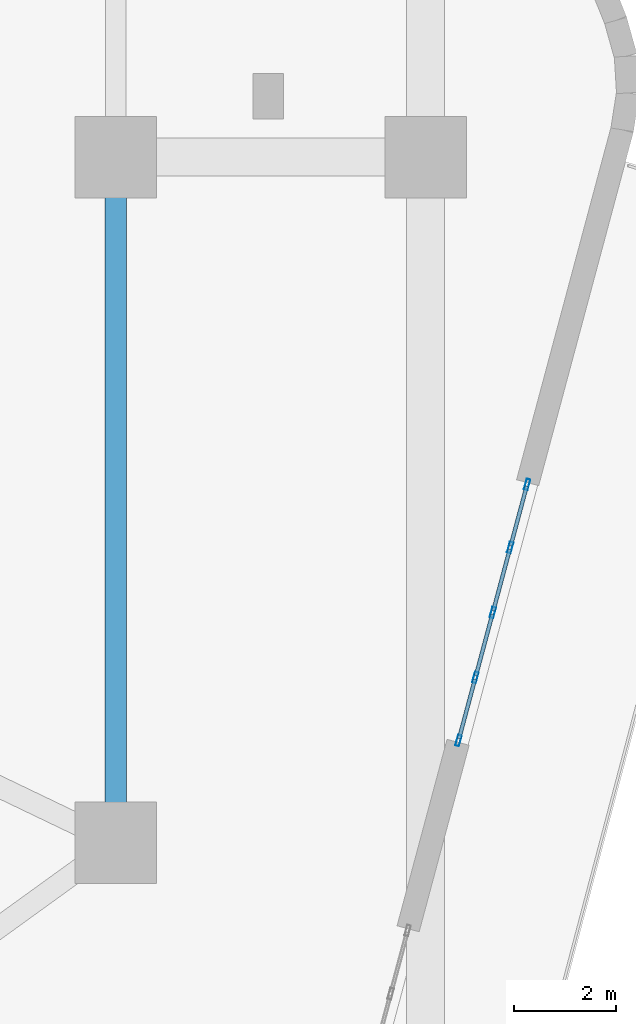
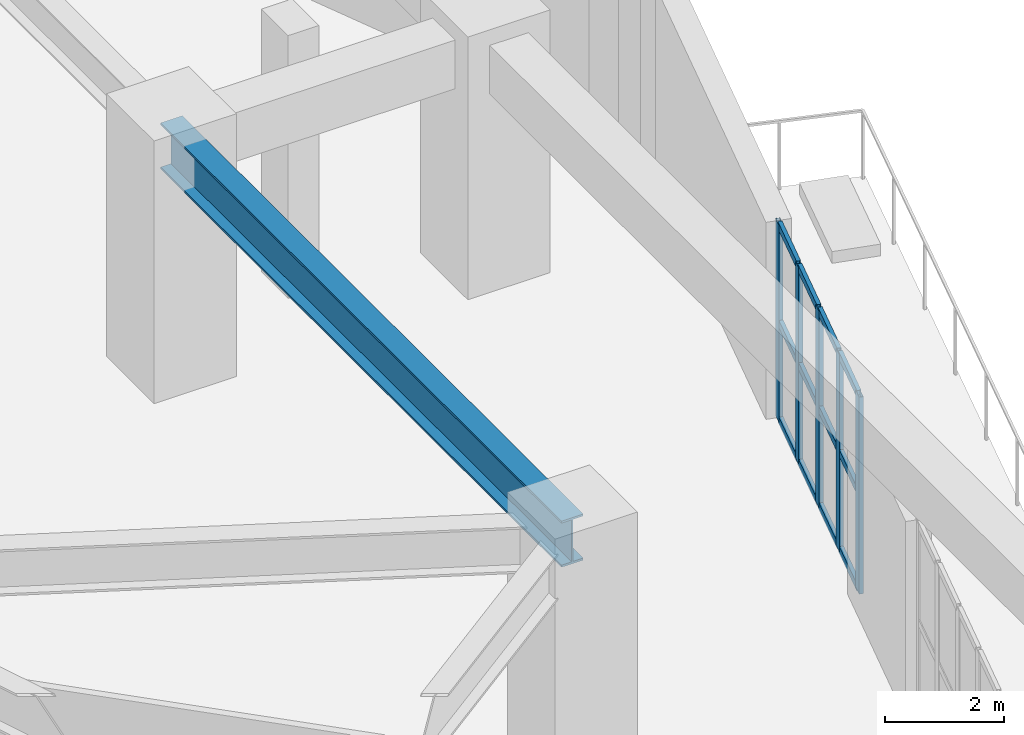
# One storey, part 12 of 34: 17 members, 1 beam, 1 element without a shape of its own.
"""IFC4 building model written with IfcOpenShell, lengths in metres."""

from ifc_helpers import new_model, si_unit, direction, frame, origin, origin_2d, place, context, subcontext, project, spatial, hollow_rectangle, i_section, extrude, material, layer, layer_set, material_profile, profile_set, type_object, element, aggregate, save


model = new_model("IFC4")

# Units and contexts
model_context = context("Model", 3, precision=1e-05, world=origin(), true_north=direction((0.0, 1.0)))
body_context = subcontext(model_context, "Body", "Model", "MODEL_VIEW")
ifc_project = project(units=[si_unit("LENGTHUNIT", "METRE"), si_unit("AREAUNIT", "SQUARE_METRE"), si_unit("VOLUMEUNIT", "CUBIC_METRE"), si_unit("PLANEANGLEUNIT", "RADIAN"), si_unit("MASSUNIT", "GRAM", prefix="KILO")], contexts=[model_context])

# Site, building, storey
site_placement = place(None, origin())
site = spatial("IfcSite", under=ifc_project, at=site_placement, CompositionType="ELEMENT")
building_placement = place(site_placement, origin())
building = spatial("IfcBuilding", under=site, at=building_placement, Name="Kilnhurst Terrace Hotel", CompositionType="ELEMENT")
storey_placement = place(building_placement, frame((0.0, 0.0, 6.0)))
storey = spatial("IfcBuildingStorey", under=building, at=storey_placement, Name="L01", CompositionType="ELEMENT", Elevation=6.0)

# Beam
ifc_material_1 = material(Name="Steel ASTM A992 Grade 50", Category="steel")
ifc_material_profile_1 = material_profile(ifc_material_1, i_section(OverallWidth=0.423095703125, OverallDepth=0.9482421875, WebThickness=0.02392578125, FlangeThickness=0.042724609375, at=origin_2d()), Name="W36X302")
ifc_profile_set_1 = profile_set([ifc_material_profile_1], Name="Steel ASTM A992 Grade 50")
beam_type = type_object("IfcBeamType", Name="BM-STL-W36X302", PredefinedType="BEAM", material=ifc_profile_set_1)
beam_placement = place(storey_placement, frame((21.5, 0.0, 4.60595703125), z_axis=(0.0, -1.0, 0.0), x_axis=(1.0, 0.0, 0.0)))
element("IfcBeam", 1, at=beam_placement, inside=storey, type_object=beam_type, Name="L01 Podium Frame Beam 8", PredefinedType="BEAM", context=body_context, shape_type="SweptSolid", body=[
    extrude(i_section(OverallWidth=0.423095703125, OverallDepth=0.9482421875, WebThickness=0.02392578125, FlangeThickness=0.042724609375, at=origin_2d()), origin(), (0.0, 0.0, 1.0), 13.5),
])

# Curtain wall, members
ifc_material_2 = material(Name="Anodized Aluminium Alloy 6063-T6 and Low-E Glass", Category="aluminium")
ifc_layer = layer(ifc_material_2, 0.219970703125, Name="Anodized Aluminium Alloy 6063-T6 and Low-E Glass")
ifc_layer_set = layer_set([ifc_layer], Name="Anodized Aluminium Alloy 6063-T6 and Low-E Glass")
curtain_wall_type = type_object("IfcCurtainWallType", Name="CW-POD-LOBBY", PredefinedType="NOTDEFINED", material=ifc_layer_set)
curtain_wall_placement = place(storey_placement, origin())
curtain_wall = element("IfcCurtainWall", 2, at=curtain_wall_placement, inside=storey, type_object=curtain_wall_type, Name="L01 Curtain Wall CW-L01-F2-2", PredefinedType="NOTDEFINED")
ifc_material_3 = material(Name="Extruded Aluminium Alloy 6063-T6", Category="aluminium")
ifc_material_profile_2 = material_profile(ifc_material_3, hollow_rectangle(XDim=0.074951171875, YDim=0.219970703125, WallThickness=0.00390625, at=origin_2d()), Name="CWM75X220")
ifc_profile_set_2 = profile_set([ifc_material_profile_2], Name="Extruded Aluminium Alloy 6063-T6")
member_type_1 = type_object("IfcMemberType", Name="MEM-CWM75X220", PredefinedType="MULLION", material=ifc_profile_set_2)
member_1_placement = place(storey_placement, frame((28.248046875, -11.484375, 0.0), z_axis=(0.0, 0.0, 1.0), x_axis=(-0.965934134924, 0.258788034865, 0.0)))
member_1 = element("IfcMember", 3, at=member_1_placement, type_object=member_type_1, Name="CWL-1 mullion 1", PredefinedType="MULLION", context=body_context, shape_type="SweptSolid", body=[
    extrude(hollow_rectangle(XDim=0.074951171875, YDim=0.219970703125, WallThickness=0.00390625, at=origin_2d()), origin(), (0.0, 0.0, 1.0), 4.050048828125),
])
member_2_placement = place(storey_placement, frame((28.58056640625, -10.24267578125, 0.0), z_axis=(0.0, 0.0, 1.0), x_axis=(-0.965934134924, 0.258788034865, 0.0)))
member_2 = element("IfcMember", 4, at=member_2_placement, type_object=member_type_1, Name="CWL-1 mullion 2", PredefinedType="MULLION", context=body_context, shape_type="SweptSolid", body=[
    extrude(hollow_rectangle(XDim=0.074951171875, YDim=0.219970703125, WallThickness=0.00390625, at=origin_2d()), origin(), (0.0, 0.0, 1.0), 4.050048828125),
])
member_3_placement = place(storey_placement, frame((28.923095703125, -8.964599609375, 0.0), z_axis=(0.0, 0.0, 1.0), x_axis=(-0.965934134924, 0.258788034865, 0.0)))
member_3 = element("IfcMember", 5, at=member_3_placement, type_object=member_type_1, Name="CWL-1 mullion 3", PredefinedType="MULLION", context=body_context, shape_type="SweptSolid", body=[
    extrude(hollow_rectangle(XDim=0.074951171875, YDim=0.219970703125, WallThickness=0.00390625, at=origin_2d()), origin(), (0.0, 0.0, 1.0), 4.050048828125),
])
member_4_placement = place(storey_placement, frame((29.265380859375, -7.686767578125, 0.0), z_axis=(0.0, 0.0, 1.0), x_axis=(-0.965934134924, 0.258788034865, 0.0)))
member_4 = element("IfcMember", 6, at=member_4_placement, type_object=member_type_1, Name="CWL-1 mullion 4", PredefinedType="MULLION", context=body_context, shape_type="SweptSolid", body=[
    extrude(hollow_rectangle(XDim=0.074951171875, YDim=0.219970703125, WallThickness=0.00390625, at=origin_2d()), origin(), (0.0, 0.0, 1.0), 4.050048828125),
])
member_5_placement = place(storey_placement, frame((29.59814453125, -6.445068359375, 0.0), z_axis=(0.0, 0.0, 1.0), x_axis=(-0.965934134924, 0.258788034865, 0.0)))
member_5 = element("IfcMember", 7, at=member_5_placement, type_object=member_type_1, Name="CWL-1 mullion 5", PredefinedType="MULLION", context=body_context, shape_type="SweptSolid", body=[
    extrude(hollow_rectangle(XDim=0.074951171875, YDim=0.219970703125, WallThickness=0.00390625, at=origin_2d()), origin(), (0.0, 0.0, 1.0), 4.050048828125),
])
ifc_material_profile_3 = material_profile(ifc_material_3, hollow_rectangle(XDim=0.074951171875, YDim=0.14990234375, WallThickness=0.00390625, at=origin_2d()), Name="CWT75X150")
ifc_profile_set_3 = profile_set([ifc_material_profile_3], Name="Extruded Aluminium Alloy 6063-T6")
member_type_2 = type_object("IfcMemberType", Name="MEM-CWT75X150", PredefinedType="USERDEFINED", material=ifc_profile_set_3)
member_6_placement = place(storey_placement, frame((28.2578125, -11.447998046875, 0.03759765625), z_axis=(0.2587797734, 0.965936348255, 0.0), x_axis=(-0.965936348255, 0.2587797734, 0.0)))
member_6 = element("IfcMember", 8, at=member_6_placement, type_object=member_type_2, Name="CWL-1 transom 1.1", ObjectType="TRANSOM", PredefinedType="USERDEFINED", context=body_context, shape_type="SweptSolid", body=[
    extrude(hollow_rectangle(XDim=0.074951171875, YDim=0.14990234375, WallThickness=0.00390625, at=origin_2d()), origin(), (0.0, 0.0, 1.0), 1.21044921875),
])
member_7_placement = place(storey_placement, frame((28.2578125, -11.447998046875, 2.02490234375), z_axis=(0.2587797734, 0.965936348255, 0.0), x_axis=(-0.965936348255, 0.2587797734, 0.0)))
member_7 = element("IfcMember", 9, at=member_7_placement, type_object=member_type_2, Name="CWL-1 transom 1.2", ObjectType="TRANSOM", PredefinedType="USERDEFINED", context=body_context, shape_type="SweptSolid", body=[
    extrude(hollow_rectangle(XDim=0.074951171875, YDim=0.14990234375, WallThickness=0.00390625, at=origin_2d()), origin(), (0.0, 0.0, 1.0), 1.21044921875),
])
member_8_placement = place(storey_placement, frame((28.2578125, -11.447998046875, 4.012451171875), z_axis=(0.2587797734, 0.965936348255, 0.0), x_axis=(-0.965936348255, 0.2587797734, 0.0)))
member_8 = element("IfcMember", 10, at=member_8_placement, type_object=member_type_2, Name="CWL-1 transom 1.3", ObjectType="TRANSOM", PredefinedType="USERDEFINED", context=body_context, shape_type="SweptSolid", body=[
    extrude(hollow_rectangle(XDim=0.074951171875, YDim=0.14990234375, WallThickness=0.00390625, at=origin_2d()), origin(), (0.0, 0.0, 1.0), 1.21044921875),
])
member_9_placement = place(storey_placement, frame((28.59033203125, -10.206298828125, 0.03759765625), z_axis=(0.258843658566, 0.965919230795, 0.0), x_axis=(-0.965919230795, 0.258843658566, 0.0)))
member_9 = element("IfcMember", 11, at=member_9_placement, type_object=member_type_2, Name="CWL-1 transom 2.1", ObjectType="TRANSOM", PredefinedType="USERDEFINED", context=body_context, shape_type="SweptSolid", body=[
    extrude(hollow_rectangle(XDim=0.074951171875, YDim=0.14990234375, WallThickness=0.00390625, at=origin_2d()), origin(), (0.0, 0.0, 1.0), 1.247802734375),
])
member_10_placement = place(storey_placement, frame((28.59033203125, -10.206298828125, 2.02490234375), z_axis=(0.258843658566, 0.965919230795, 0.0), x_axis=(-0.965919230795, 0.258843658566, 0.0)))
member_10 = element("IfcMember", 12, at=member_10_placement, type_object=member_type_2, Name="CWL-1 transom 2.2", ObjectType="TRANSOM", PredefinedType="USERDEFINED", context=body_context, shape_type="SweptSolid", body=[
    extrude(hollow_rectangle(XDim=0.074951171875, YDim=0.14990234375, WallThickness=0.00390625, at=origin_2d()), origin(), (0.0, 0.0, 1.0), 1.247802734375),
])
member_11_placement = place(storey_placement, frame((28.59033203125, -10.206298828125, 4.012451171875), z_axis=(0.258843658566, 0.965919230795, 0.0), x_axis=(-0.965919230795, 0.258843658566, 0.0)))
member_11 = element("IfcMember", 13, at=member_11_placement, type_object=member_type_2, Name="CWL-1 transom 2.3", ObjectType="TRANSOM", PredefinedType="USERDEFINED", context=body_context, shape_type="SweptSolid", body=[
    extrude(hollow_rectangle(XDim=0.074951171875, YDim=0.14990234375, WallThickness=0.00390625, at=origin_2d()), origin(), (0.0, 0.0, 1.0), 1.247802734375),
])
member_12_placement = place(storey_placement, frame((28.932861328125, -8.928466796875, 0.03759765625), z_axis=(0.258612226054, 0.965981219556, 0.0), x_axis=(-0.965981219556, 0.258612226054, 0.0)))
member_12 = element("IfcMember", 14, at=member_12_placement, type_object=member_type_2, Name="CWL-1 transom 3.1", ObjectType="TRANSOM", PredefinedType="USERDEFINED", context=body_context, shape_type="SweptSolid", body=[
    extrude(hollow_rectangle(XDim=0.074951171875, YDim=0.14990234375, WallThickness=0.00390625, at=origin_2d()), origin(), (0.0, 0.0, 1.0), 1.248046875),
])
member_13_placement = place(storey_placement, frame((28.932861328125, -8.928466796875, 2.02490234375), z_axis=(0.258612226054, 0.965981219556, 0.0), x_axis=(-0.965981219556, 0.258612226054, 0.0)))
member_13 = element("IfcMember", 15, at=member_13_placement, type_object=member_type_2, Name="CWL-1 transom 3.2", ObjectType="TRANSOM", PredefinedType="USERDEFINED", context=body_context, shape_type="SweptSolid", body=[
    extrude(hollow_rectangle(XDim=0.074951171875, YDim=0.14990234375, WallThickness=0.00390625, at=origin_2d()), origin(), (0.0, 0.0, 1.0), 1.248046875),
])
member_14_placement = place(storey_placement, frame((28.932861328125, -8.928466796875, 4.012451171875), z_axis=(0.258612226054, 0.965981219556, 0.0), x_axis=(-0.965981219556, 0.258612226054, 0.0)))
member_14 = element("IfcMember", 16, at=member_14_placement, type_object=member_type_2, Name="CWL-1 transom 3.3", ObjectType="TRANSOM", PredefinedType="USERDEFINED", context=body_context, shape_type="SweptSolid", body=[
    extrude(hollow_rectangle(XDim=0.074951171875, YDim=0.14990234375, WallThickness=0.00390625, at=origin_2d()), origin(), (0.0, 0.0, 1.0), 1.248046875),
])
member_15_placement = place(storey_placement, frame((29.275146484375, -7.650390625, 0.03759765625), z_axis=(0.2587797734, 0.965936348255, 0.0), x_axis=(-0.965936348255, 0.2587797734, 0.0)))
member_15 = element("IfcMember", 17, at=member_15_placement, type_object=member_type_2, Name="CWL-1 transom 4.1", ObjectType="TRANSOM", PredefinedType="USERDEFINED", context=body_context, shape_type="SweptSolid", body=[
    extrude(hollow_rectangle(XDim=0.074951171875, YDim=0.14990234375, WallThickness=0.00390625, at=origin_2d()), origin(), (0.0, 0.0, 1.0), 1.21044921875),
])
member_16_placement = place(storey_placement, frame((29.275146484375, -7.650390625, 2.02490234375), z_axis=(0.2587797734, 0.965936348255, 0.0), x_axis=(-0.965936348255, 0.2587797734, 0.0)))
member_16 = element("IfcMember", 18, at=member_16_placement, type_object=member_type_2, Name="CWL-1 transom 4.2", ObjectType="TRANSOM", PredefinedType="USERDEFINED", context=body_context, shape_type="SweptSolid", body=[
    extrude(hollow_rectangle(XDim=0.074951171875, YDim=0.14990234375, WallThickness=0.00390625, at=origin_2d()), origin(), (0.0, 0.0, 1.0), 1.21044921875),
])
member_17_placement = place(storey_placement, frame((29.275146484375, -7.650390625, 4.012451171875), z_axis=(0.2587797734, 0.965936348255, 0.0), x_axis=(-0.965936348255, 0.2587797734, 0.0)))
member_17 = element("IfcMember", 19, at=member_17_placement, type_object=member_type_2, Name="CWL-1 transom 4.3", ObjectType="TRANSOM", PredefinedType="USERDEFINED", context=body_context, shape_type="SweptSolid", body=[
    extrude(hollow_rectangle(XDim=0.074951171875, YDim=0.14990234375, WallThickness=0.00390625, at=origin_2d()), origin(), (0.0, 0.0, 1.0), 1.21044921875),
])
aggregate(curtain_wall, [member_1, member_2, member_3, member_4, member_5, member_6, member_7, member_8, member_9, member_10, member_11, member_12, member_13, member_14, member_15, member_16, member_17])

save(model, "model.ifc")
